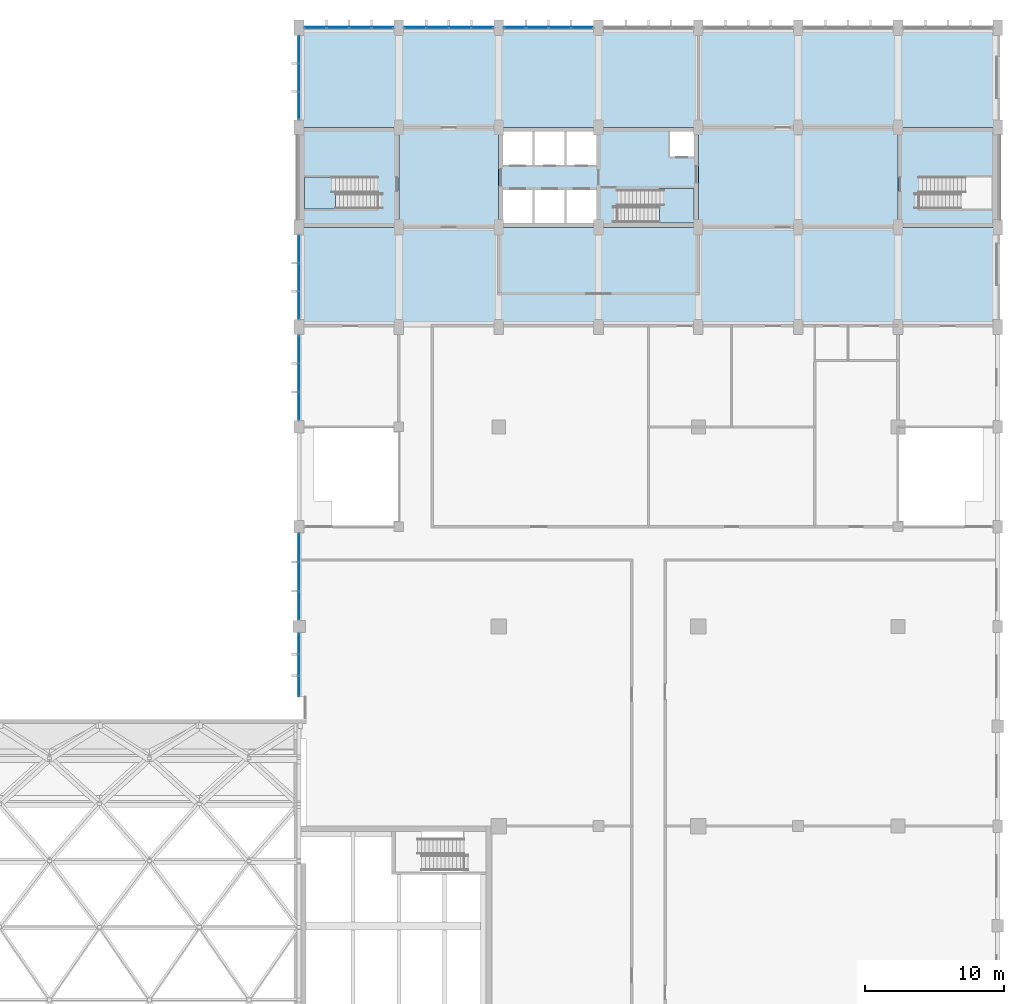
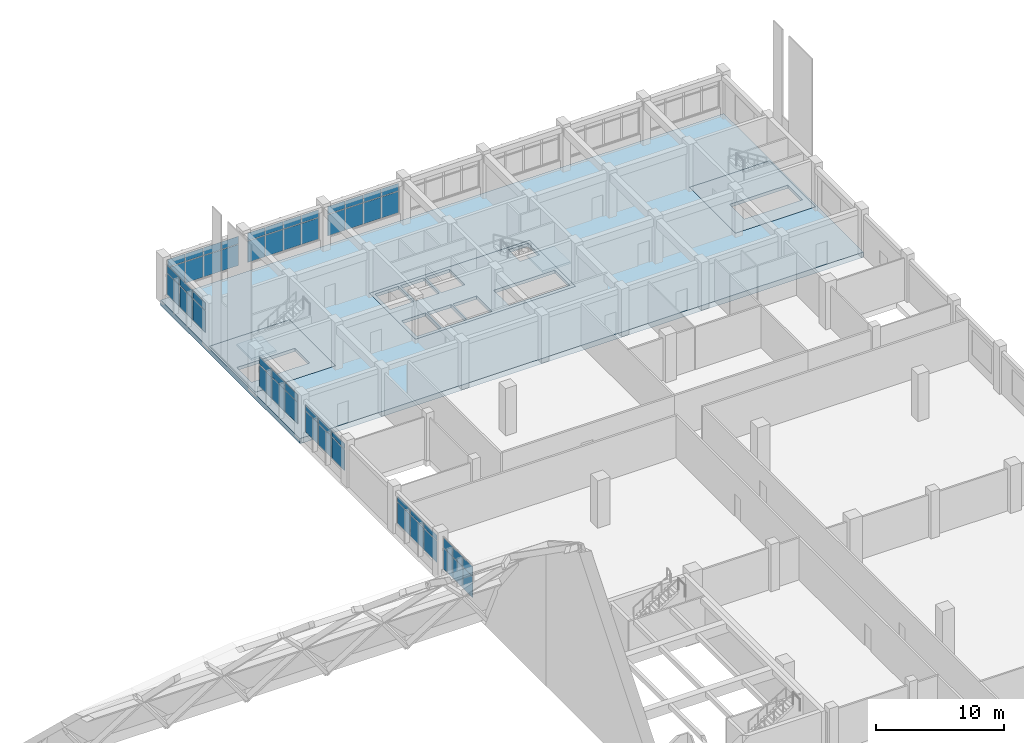
# One storey, part 30 of 52: 54 plates, 6 slabs, 10 elements without a shape of their own.
"""IFC4 building model written with IfcOpenShell, lengths in metres."""

from ifc_helpers import new_model, si_unit, direction, frame, origin, origin_2d, place, context, subcontext, project, spatial, polyline, rectangle, outline, extrude, material, layer, layer_set, type_object, element, aggregate, save


model = new_model("IFC4")

# Units and contexts
model_context = context("Model", 3, precision=1e-05, world=origin(), true_north=direction((0.0, 1.0)))
body_context = subcontext(model_context, "Body", "Model", "MODEL_VIEW")
ifc_project = project(units=[si_unit("LENGTHUNIT", "METRE"), si_unit("AREAUNIT", "SQUARE_METRE"), si_unit("VOLUMEUNIT", "CUBIC_METRE"), si_unit("PLANEANGLEUNIT", "RADIAN"), si_unit("MASSUNIT", "GRAM", prefix="KILO")], contexts=[model_context])

# Site, building, storey
site_placement = place(None, origin())
site = spatial("IfcSite", under=ifc_project, at=site_placement, CompositionType="ELEMENT")
building_placement = place(site_placement, origin())
building = spatial("IfcBuilding", under=site, at=building_placement, Name="Vermilion Court Aquatics Centre", CompositionType="ELEMENT")
storey_placement = place(building_placement, frame((0.0, 0.0, 12.0)))
storey = spatial("IfcBuildingStorey", under=building, at=storey_placement, Name="L02", CompositionType="ELEMENT", Elevation=12.0)

# Slabs
ifc_material_1 = material(Name="Concrete 5000 psi", Category="concrete")
ifc_layer_1 = layer(ifc_material_1, 0.300048828125)
ifc_layer_set_1 = layer_set([ifc_layer_1], Name="North block flat plate 300")
slab_type_1 = type_object("IfcSlabType", Name="North block flat plate 300", PredefinedType="FLOOR", material=ifc_layer_set_1)
slab_1_placement = place(storey_placement, frame((0.0, 0.0, -0.300048828125)))
element("IfcSlab", 1, at=slab_1_placement, inside=storey, type_object=slab_type_1, Name="Core floor L02", PredefinedType="FLOOR", context=body_context, shape_type="SweptSolid", body=[
    extrude(outline(polyline([(158.39990234375, 100.800048828125), (172.800048828125, 100.800048828125), (172.800048828125, 108.0), (158.39990234375, 108.0), (158.39990234375, 100.800048828125)]), holes=[polyline([(158.699951171875, 101.10009765625), (160.85009765625, 101.10009765625), (160.85009765625, 103.5), (158.699951171875, 103.5), (158.699951171875, 101.10009765625)]), polyline([(158.699951171875, 105.300048828125), (160.85009765625, 105.300048828125), (160.85009765625, 107.699951171875), (158.699951171875, 107.699951171875), (158.699951171875, 105.300048828125)]), polyline([(161.0, 101.10009765625), (163.14990234375, 101.10009765625), (163.14990234375, 103.5), (161.0, 103.5), (161.0, 101.10009765625)]), polyline([(161.0, 105.300048828125), (163.14990234375, 105.300048828125), (163.14990234375, 107.699951171875), (161.0, 107.699951171875), (161.0, 105.300048828125)]), polyline([(163.300048828125, 101.10009765625), (165.449951171875, 101.10009765625), (165.449951171875, 103.5), (163.300048828125, 103.5), (163.300048828125, 101.10009765625)]), polyline([(163.300048828125, 105.300048828125), (165.449951171875, 105.300048828125), (165.449951171875, 107.699951171875), (163.300048828125, 107.699951171875), (163.300048828125, 105.300048828125)]), polyline([(167.0, 101.14990234375), (172.5, 101.14990234375), (172.5, 103.5), (167.0, 103.5), (167.0, 101.14990234375)]), polyline([(170.75, 105.89990234375), (172.5, 105.89990234375), (172.5, 107.699951171875), (170.75, 107.699951171875), (170.75, 105.89990234375)])]), origin(), (0.0, 0.0, 1.0), 0.300048828125),
])
slab_2_placement = place(storey_placement, frame((0.0, 0.0, -0.300048828125)))
element("IfcSlab", 2, at=slab_2_placement, inside=storey, type_object=slab_type_1, Name="Stair 1 floor L02", PredefinedType="FLOOR", context=body_context, shape_type="SweptSolid", body=[
    extrude(outline(polyline([(144.0, 100.800048828125), (151.199951171875, 100.800048828125), (151.199951171875, 108.0), (144.0, 108.0), (144.0, 100.800048828125)]), holes=[polyline([(144.39990234375, 102.1298828125), (149.64990234375, 102.1298828125), (149.64990234375, 104.429931640625), (144.39990234375, 104.429931640625), (144.39990234375, 102.1298828125)])]), origin(), (0.0, 0.0, 1.0), 0.300048828125),
])
slab_3_placement = place(storey_placement, frame((0.0, 0.0, -0.300048828125)))
element("IfcSlab", 3, at=slab_3_placement, inside=storey, type_object=slab_type_1, Name="Stair 2 floor L02", PredefinedType="FLOOR", context=body_context, shape_type="SweptSolid", body=[
    extrude(outline(polyline([(187.199951171875, 100.800048828125), (194.39990234375, 100.800048828125), (194.39990234375, 108.0), (187.199951171875, 108.0), (187.199951171875, 100.800048828125)]), holes=[polyline([(188.75, 102.1298828125), (194.0, 102.1298828125), (194.0, 104.429931640625), (188.75, 104.429931640625), (188.75, 102.1298828125)])]), origin(), (0.0, 0.0, 1.0), 0.300048828125),
])

# Stair, slab
ifc_material_2 = material(Name="Concrete 5000 psi", Category="concrete")
stair_type = type_object("IfcStairType", Name="North block exit stair 1130", PredefinedType="HALF_TURN_STAIR", material=ifc_material_2)
stair_1_placement = place(storey_placement, origin())
stair_1 = element("IfcStair", 4, at=stair_1_placement, inside=storey, type_object=stair_type, Name="Exit stair ST-T1 L02", PredefinedType="HALF_TURN_STAIR")
ifc_material_3 = material(Name="Concrete 5000 psi", Category="concrete")
ifc_layer_2 = layer(ifc_material_3, 0.199951171875)
ifc_layer_set_2 = layer_set([ifc_layer_2], Name="North block stair landing 200")
slab_type_2 = type_object("IfcSlabType", Name="North block stair landing 200", PredefinedType="LANDING", material=ifc_layer_set_2)
slab_4_placement = place(storey_placement, frame((0.0, 0.0, 2.050048828125)))
slab_4 = element("IfcSlab", 5, at=slab_4_placement, type_object=slab_type_2, Name="ST-T1 landing 1", PredefinedType="LANDING", context=body_context, shape_type="SweptSolid", body=[
    extrude(outline(polyline([(144.39990234375, 102.1298828125), (146.639892578125, 102.1298828125), (146.639892578125, 104.429931640625), (144.39990234375, 104.429931640625), (144.39990234375, 102.1298828125)])), origin(), (0.0, 0.0, 1.0), 0.199951171875),
])
aggregate(stair_1, [slab_4])

stair_2_placement = place(storey_placement, origin())
stair_2 = element("IfcStair", 6, at=stair_2_placement, inside=storey, type_object=stair_type, Name="Exit stair ST-T3 L02", PredefinedType="HALF_TURN_STAIR")
slab_5_placement = place(storey_placement, frame((0.0, 0.0, 2.050048828125)))
slab_5 = element("IfcSlab", 7, at=slab_5_placement, type_object=slab_type_2, Name="ST-T3 landing 1", PredefinedType="LANDING", context=body_context, shape_type="SweptSolid", body=[
    extrude(outline(polyline([(170.010009765625, 101.10009765625), (172.5, 101.10009765625), (172.5, 103.60009765625), (170.010009765625, 103.60009765625), (170.010009765625, 101.10009765625)])), origin(), (0.0, 0.0, 1.0), 0.199951171875),
])
aggregate(stair_2, [slab_5])

# Curtain wall, plates
ifc_material_4 = material(Name="Aluminium 6063-T5", Category="aluminium")
ifc_layer_3 = layer(ifc_material_4, 0.14990234375)
ifc_layer_set_3 = layer_set([ifc_layer_3], Name="Podium curtain wall bay, 1800 module")
curtain_wall_type = type_object("IfcCurtainWallType", Name="Podium curtain wall bay, 1800 module", PredefinedType="NOTDEFINED", material=ifc_layer_set_3)
curtain_wall_1_placement = place(storey_placement, origin())
curtain_wall_1 = element("IfcCurtainWall", 8, at=curtain_wall_1_placement, inside=storey, type_object=curtain_wall_type, Name="Curtain wall L02", PredefinedType="NOTDEFINED")
ifc_material_5 = material(Name="Glazing", Category="glass")
ifc_layer_4 = layer(ifc_material_5, 0.028076171875)
ifc_layer_set_4 = layer_set([ifc_layer_4], Name="Podium curtain wall glass panel 28")
plate_type = type_object("IfcPlateType", Name="Podium curtain wall glass panel 28", PredefinedType="CURTAIN_PANEL", material=ifc_layer_set_4)
plate_1_placement = place(storey_placement, frame((145.177490234375, 115.199951171875, 0.9599609375), z_axis=(0.0, 0.0, 1.0), x_axis=(1.0, 0.0, 0.0)))
plate_1 = element("IfcPlate", 9, at=plate_1_placement, type_object=plate_type, Name="PG2 panel 1.1", PredefinedType="CURTAIN_PANEL", context=body_context, shape_type="SweptSolid", body=[
    extrude(rectangle(XDim=1.534912109375, YDim=0.028076171875, at=origin_2d()), origin(), (0.0, 0.0, 1.0), 2.010009765625),
])
plate_2_placement = place(storey_placement, frame((145.177490234375, 115.199951171875, 3.030029296875), z_axis=(0.0, 0.0, 1.0), x_axis=(1.0, 0.0, 0.0)))
plate_2 = element("IfcPlate", 10, at=plate_2_placement, type_object=plate_type, Name="PG2 panel 1.2", PredefinedType="CURTAIN_PANEL", context=body_context, shape_type="SweptSolid", body=[
    extrude(rectangle(XDim=1.534912109375, YDim=0.028076171875, at=origin_2d()), origin(), (0.0, 0.0, 1.0), 0.7099609375),
])
plate_3_placement = place(storey_placement, frame((146.78759765625, 115.199951171875, 0.9599609375), z_axis=(0.0, 0.0, 1.0), x_axis=(1.0, 0.0, 0.0)))
plate_3 = element("IfcPlate", 11, at=plate_3_placement, type_object=plate_type, Name="PG2 panel 2.1", PredefinedType="CURTAIN_PANEL", context=body_context, shape_type="SweptSolid", body=[
    extrude(rectangle(XDim=1.56494140625, YDim=0.028076171875, at=origin_2d()), origin(), (0.0, 0.0, 1.0), 2.010009765625),
])
plate_4_placement = place(storey_placement, frame((146.78759765625, 115.199951171875, 3.030029296875), z_axis=(0.0, 0.0, 1.0), x_axis=(1.0, 0.0, 0.0)))
plate_4 = element("IfcPlate", 12, at=plate_4_placement, type_object=plate_type, Name="PG2 panel 2.2", PredefinedType="CURTAIN_PANEL", context=body_context, shape_type="SweptSolid", body=[
    extrude(rectangle(XDim=1.56494140625, YDim=0.028076171875, at=origin_2d()), origin(), (0.0, 0.0, 1.0), 0.7099609375),
])
plate_5_placement = place(storey_placement, frame((148.41259765625, 115.199951171875, 0.9599609375), z_axis=(0.0, 0.0, 1.0), x_axis=(1.0, 0.0, 0.0)))
plate_5 = element("IfcPlate", 13, at=plate_5_placement, type_object=plate_type, Name="PG2 panel 3.1", PredefinedType="CURTAIN_PANEL", context=body_context, shape_type="SweptSolid", body=[
    extrude(rectangle(XDim=1.56494140625, YDim=0.028076171875, at=origin_2d()), origin(), (0.0, 0.0, 1.0), 2.010009765625),
])
plate_6_placement = place(storey_placement, frame((148.41259765625, 115.199951171875, 3.030029296875), z_axis=(0.0, 0.0, 1.0), x_axis=(1.0, 0.0, 0.0)))
plate_6 = element("IfcPlate", 14, at=plate_6_placement, type_object=plate_type, Name="PG2 panel 3.2", PredefinedType="CURTAIN_PANEL", context=body_context, shape_type="SweptSolid", body=[
    extrude(rectangle(XDim=1.56494140625, YDim=0.028076171875, at=origin_2d()), origin(), (0.0, 0.0, 1.0), 0.7099609375),
])
plate_7_placement = place(storey_placement, frame((150.0224609375, 115.199951171875, 0.9599609375), z_axis=(0.0, 0.0, 1.0), x_axis=(1.0, 0.0, 0.0)))
plate_7 = element("IfcPlate", 15, at=plate_7_placement, type_object=plate_type, Name="PG2 panel 4.1", PredefinedType="CURTAIN_PANEL", context=body_context, shape_type="SweptSolid", body=[
    extrude(rectangle(XDim=1.534912109375, YDim=0.028076171875, at=origin_2d()), origin(), (0.0, 0.0, 1.0), 2.010009765625),
])
plate_8_placement = place(storey_placement, frame((150.0224609375, 115.199951171875, 3.030029296875), z_axis=(0.0, 0.0, 1.0), x_axis=(1.0, 0.0, 0.0)))
plate_8 = element("IfcPlate", 16, at=plate_8_placement, type_object=plate_type, Name="PG2 panel 4.2", PredefinedType="CURTAIN_PANEL", context=body_context, shape_type="SweptSolid", body=[
    extrude(rectangle(XDim=1.534912109375, YDim=0.028076171875, at=origin_2d()), origin(), (0.0, 0.0, 1.0), 0.7099609375),
])
aggregate(curtain_wall_1, [plate_1, plate_2, plate_3, plate_4, plate_5, plate_6, plate_7, plate_8])

curtain_wall_2_placement = place(storey_placement, origin())
curtain_wall_2 = element("IfcCurtainWall", 17, at=curtain_wall_2_placement, inside=storey, type_object=curtain_wall_type, Name="Curtain wall L02", PredefinedType="NOTDEFINED")
plate_9_placement = place(storey_placement, frame((152.37744140625, 115.199951171875, 0.9599609375), z_axis=(0.0, 0.0, 1.0), x_axis=(1.0, 0.0, 0.0)))
plate_9 = element("IfcPlate", 18, at=plate_9_placement, type_object=plate_type, Name="PG2 panel 1.1", PredefinedType="CURTAIN_PANEL", context=body_context, shape_type="SweptSolid", body=[
    extrude(rectangle(XDim=1.534912109375, YDim=0.028076171875, at=origin_2d()), origin(), (0.0, 0.0, 1.0), 2.010009765625),
])
plate_10_placement = place(storey_placement, frame((152.37744140625, 115.199951171875, 3.030029296875), z_axis=(0.0, 0.0, 1.0), x_axis=(1.0, 0.0, 0.0)))
plate_10 = element("IfcPlate", 19, at=plate_10_placement, type_object=plate_type, Name="PG2 panel 1.2", PredefinedType="CURTAIN_PANEL", context=body_context, shape_type="SweptSolid", body=[
    extrude(rectangle(XDim=1.534912109375, YDim=0.028076171875, at=origin_2d()), origin(), (0.0, 0.0, 1.0), 0.7099609375),
])
plate_11_placement = place(storey_placement, frame((153.987548828125, 115.199951171875, 0.9599609375), z_axis=(0.0, 0.0, 1.0), x_axis=(1.0, 0.0, 0.0)))
plate_11 = element("IfcPlate", 20, at=plate_11_placement, type_object=plate_type, Name="PG2 panel 2.1", PredefinedType="CURTAIN_PANEL", context=body_context, shape_type="SweptSolid", body=[
    extrude(rectangle(XDim=1.56494140625, YDim=0.028076171875, at=origin_2d()), origin(), (0.0, 0.0, 1.0), 2.010009765625),
])
plate_12_placement = place(storey_placement, frame((153.987548828125, 115.199951171875, 3.030029296875), z_axis=(0.0, 0.0, 1.0), x_axis=(1.0, 0.0, 0.0)))
plate_12 = element("IfcPlate", 21, at=plate_12_placement, type_object=plate_type, Name="PG2 panel 2.2", PredefinedType="CURTAIN_PANEL", context=body_context, shape_type="SweptSolid", body=[
    extrude(rectangle(XDim=1.56494140625, YDim=0.028076171875, at=origin_2d()), origin(), (0.0, 0.0, 1.0), 0.7099609375),
])
plate_13_placement = place(storey_placement, frame((155.612548828125, 115.199951171875, 0.9599609375), z_axis=(0.0, 0.0, 1.0), x_axis=(1.0, 0.0, 0.0)))
plate_13 = element("IfcPlate", 22, at=plate_13_placement, type_object=plate_type, Name="PG2 panel 3.1", PredefinedType="CURTAIN_PANEL", context=body_context, shape_type="SweptSolid", body=[
    extrude(rectangle(XDim=1.56494140625, YDim=0.028076171875, at=origin_2d()), origin(), (0.0, 0.0, 1.0), 2.010009765625),
])
plate_14_placement = place(storey_placement, frame((155.612548828125, 115.199951171875, 3.030029296875), z_axis=(0.0, 0.0, 1.0), x_axis=(1.0, 0.0, 0.0)))
plate_14 = element("IfcPlate", 23, at=plate_14_placement, type_object=plate_type, Name="PG2 panel 3.2", PredefinedType="CURTAIN_PANEL", context=body_context, shape_type="SweptSolid", body=[
    extrude(rectangle(XDim=1.56494140625, YDim=0.028076171875, at=origin_2d()), origin(), (0.0, 0.0, 1.0), 0.7099609375),
])
plate_15_placement = place(storey_placement, frame((157.222412109375, 115.199951171875, 0.9599609375), z_axis=(0.0, 0.0, 1.0), x_axis=(1.0, 0.0, 0.0)))
plate_15 = element("IfcPlate", 24, at=plate_15_placement, type_object=plate_type, Name="PG2 panel 4.1", PredefinedType="CURTAIN_PANEL", context=body_context, shape_type="SweptSolid", body=[
    extrude(rectangle(XDim=1.534912109375, YDim=0.028076171875, at=origin_2d()), origin(), (0.0, 0.0, 1.0), 2.010009765625),
])
plate_16_placement = place(storey_placement, frame((157.222412109375, 115.199951171875, 3.030029296875), z_axis=(0.0, 0.0, 1.0), x_axis=(1.0, 0.0, 0.0)))
plate_16 = element("IfcPlate", 25, at=plate_16_placement, type_object=plate_type, Name="PG2 panel 4.2", PredefinedType="CURTAIN_PANEL", context=body_context, shape_type="SweptSolid", body=[
    extrude(rectangle(XDim=1.534912109375, YDim=0.028076171875, at=origin_2d()), origin(), (0.0, 0.0, 1.0), 0.7099609375),
])
aggregate(curtain_wall_2, [plate_9, plate_10, plate_11, plate_12, plate_13, plate_14, plate_15, plate_16])

curtain_wall_3_placement = place(storey_placement, origin())
curtain_wall_3 = element("IfcCurtainWall", 26, at=curtain_wall_3_placement, inside=storey, type_object=curtain_wall_type, Name="Curtain wall L02", PredefinedType="NOTDEFINED")
plate_17_placement = place(storey_placement, frame((159.577392578125, 115.199951171875, 0.9599609375), z_axis=(0.0, 0.0, 1.0), x_axis=(1.0, 0.0, 0.0)))
plate_17 = element("IfcPlate", 27, at=plate_17_placement, type_object=plate_type, Name="PG2 panel 1.1", PredefinedType="CURTAIN_PANEL", context=body_context, shape_type="SweptSolid", body=[
    extrude(rectangle(XDim=1.534912109375, YDim=0.028076171875, at=origin_2d()), origin(), (0.0, 0.0, 1.0), 2.010009765625),
])
plate_18_placement = place(storey_placement, frame((159.577392578125, 115.199951171875, 3.030029296875), z_axis=(0.0, 0.0, 1.0), x_axis=(1.0, 0.0, 0.0)))
plate_18 = element("IfcPlate", 28, at=plate_18_placement, type_object=plate_type, Name="PG2 panel 1.2", PredefinedType="CURTAIN_PANEL", context=body_context, shape_type="SweptSolid", body=[
    extrude(rectangle(XDim=1.534912109375, YDim=0.028076171875, at=origin_2d()), origin(), (0.0, 0.0, 1.0), 0.7099609375),
])
plate_19_placement = place(storey_placement, frame((161.1875, 115.199951171875, 0.9599609375), z_axis=(0.0, 0.0, 1.0), x_axis=(1.0, 0.0, 0.0)))
plate_19 = element("IfcPlate", 29, at=plate_19_placement, type_object=plate_type, Name="PG2 panel 2.1", PredefinedType="CURTAIN_PANEL", context=body_context, shape_type="SweptSolid", body=[
    extrude(rectangle(XDim=1.56494140625, YDim=0.028076171875, at=origin_2d()), origin(), (0.0, 0.0, 1.0), 2.010009765625),
])
plate_20_placement = place(storey_placement, frame((161.1875, 115.199951171875, 3.030029296875), z_axis=(0.0, 0.0, 1.0), x_axis=(1.0, 0.0, 0.0)))
plate_20 = element("IfcPlate", 30, at=plate_20_placement, type_object=plate_type, Name="PG2 panel 2.2", PredefinedType="CURTAIN_PANEL", context=body_context, shape_type="SweptSolid", body=[
    extrude(rectangle(XDim=1.56494140625, YDim=0.028076171875, at=origin_2d()), origin(), (0.0, 0.0, 1.0), 0.7099609375),
])
plate_21_placement = place(storey_placement, frame((162.8125, 115.199951171875, 0.9599609375), z_axis=(0.0, 0.0, 1.0), x_axis=(1.0, 0.0, 0.0)))
plate_21 = element("IfcPlate", 31, at=plate_21_placement, type_object=plate_type, Name="PG2 panel 3.1", PredefinedType="CURTAIN_PANEL", context=body_context, shape_type="SweptSolid", body=[
    extrude(rectangle(XDim=1.56494140625, YDim=0.028076171875, at=origin_2d()), origin(), (0.0, 0.0, 1.0), 2.010009765625),
])
plate_22_placement = place(storey_placement, frame((162.8125, 115.199951171875, 3.030029296875), z_axis=(0.0, 0.0, 1.0), x_axis=(1.0, 0.0, 0.0)))
plate_22 = element("IfcPlate", 32, at=plate_22_placement, type_object=plate_type, Name="PG2 panel 3.2", PredefinedType="CURTAIN_PANEL", context=body_context, shape_type="SweptSolid", body=[
    extrude(rectangle(XDim=1.56494140625, YDim=0.028076171875, at=origin_2d()), origin(), (0.0, 0.0, 1.0), 0.7099609375),
])
plate_23_placement = place(storey_placement, frame((164.422607421875, 115.199951171875, 0.9599609375), z_axis=(0.0, 0.0, 1.0), x_axis=(1.0, 0.0, 0.0)))
plate_23 = element("IfcPlate", 33, at=plate_23_placement, type_object=plate_type, Name="PG2 panel 4.1", PredefinedType="CURTAIN_PANEL", context=body_context, shape_type="SweptSolid", body=[
    extrude(rectangle(XDim=1.534912109375, YDim=0.028076171875, at=origin_2d()), origin(), (0.0, 0.0, 1.0), 2.010009765625),
])
plate_24_placement = place(storey_placement, frame((164.422607421875, 115.199951171875, 3.030029296875), z_axis=(0.0, 0.0, 1.0), x_axis=(1.0, 0.0, 0.0)))
plate_24 = element("IfcPlate", 34, at=plate_24_placement, type_object=plate_type, Name="PG2 panel 4.2", PredefinedType="CURTAIN_PANEL", context=body_context, shape_type="SweptSolid", body=[
    extrude(rectangle(XDim=1.534912109375, YDim=0.028076171875, at=origin_2d()), origin(), (0.0, 0.0, 1.0), 0.7099609375),
])
aggregate(curtain_wall_3, [plate_17, plate_18, plate_19, plate_20, plate_21, plate_22, plate_23, plate_24])

curtain_wall_4_placement = place(storey_placement, origin())
curtain_wall_4 = element("IfcCurtainWall", 35, at=curtain_wall_4_placement, inside=storey, type_object=curtain_wall_type, Name="Curtain wall L02", PredefinedType="NOTDEFINED")
plate_25_placement = place(storey_placement, frame((144.0, 67.68994140625, 0.9599609375), z_axis=(0.0, 0.0, 1.0), x_axis=(0.0, 1.0, 0.0)))
plate_25 = element("IfcPlate", 36, at=plate_25_placement, type_object=plate_type, Name="PG2 panel 1.1", PredefinedType="CURTAIN_PANEL", context=body_context, shape_type="SweptSolid", body=[
    extrude(rectangle(XDim=1.4599609375, YDim=0.028076171875, at=origin_2d()), origin(), (0.0, 0.0, 1.0), 2.010009765625),
])
plate_26_placement = place(storey_placement, frame((144.0, 67.68994140625, 3.0302734375), z_axis=(0.0, 0.0, 1.0), x_axis=(0.0, 1.0, 0.0)))
plate_26 = element("IfcPlate", 37, at=plate_26_placement, type_object=plate_type, Name="PG2 panel 1.2", PredefinedType="CURTAIN_PANEL", context=body_context, shape_type="SweptSolid", body=[
    extrude(rectangle(XDim=1.4599609375, YDim=0.028076171875, at=origin_2d()), origin(), (0.0, 0.0, 1.0), 0.909912109375),
])
plate_27_placement = place(storey_placement, frame((144.0, 69.22509765625, 0.9599609375), z_axis=(0.0, 0.0, 1.0), x_axis=(0.0, 1.0, 0.0)))
plate_27 = element("IfcPlate", 38, at=plate_27_placement, type_object=plate_type, Name="PG2 panel 2.1", PredefinedType="CURTAIN_PANEL", context=body_context, shape_type="SweptSolid", body=[
    extrude(rectangle(XDim=1.489990234375, YDim=0.028076171875, at=origin_2d()), origin(), (0.0, 0.0, 1.0), 2.010009765625),
])
plate_28_placement = place(storey_placement, frame((144.0, 69.22509765625, 3.0302734375), z_axis=(0.0, 0.0, 1.0), x_axis=(0.0, 1.0, 0.0)))
plate_28 = element("IfcPlate", 39, at=plate_28_placement, type_object=plate_type, Name="PG2 panel 2.2", PredefinedType="CURTAIN_PANEL", context=body_context, shape_type="SweptSolid", body=[
    extrude(rectangle(XDim=1.489990234375, YDim=0.028076171875, at=origin_2d()), origin(), (0.0, 0.0, 1.0), 0.909912109375),
])
plate_29_placement = place(storey_placement, frame((144.0, 70.760009765625, 0.9599609375), z_axis=(0.0, 0.0, 1.0), x_axis=(0.0, 1.0, 0.0)))
plate_29 = element("IfcPlate", 40, at=plate_29_placement, type_object=plate_type, Name="PG2 panel 3.1", PredefinedType="CURTAIN_PANEL", context=body_context, shape_type="SweptSolid", body=[
    extrude(rectangle(XDim=1.4599609375, YDim=0.028076171875, at=origin_2d()), origin(), (0.0, 0.0, 1.0), 2.010009765625),
])
plate_30_placement = place(storey_placement, frame((144.0, 70.760009765625, 3.0302734375), z_axis=(0.0, 0.0, 1.0), x_axis=(0.0, 1.0, 0.0)))
plate_30 = element("IfcPlate", 41, at=plate_30_placement, type_object=plate_type, Name="PG2 panel 3.2", PredefinedType="CURTAIN_PANEL", context=body_context, shape_type="SweptSolid", body=[
    extrude(rectangle(XDim=1.4599609375, YDim=0.028076171875, at=origin_2d()), origin(), (0.0, 0.0, 1.0), 0.909912109375),
])
aggregate(curtain_wall_4, [plate_25, plate_26, plate_27, plate_28, plate_29, plate_30])

curtain_wall_5_placement = place(storey_placement, origin())
curtain_wall_5 = element("IfcCurtainWall", 42, at=curtain_wall_5_placement, inside=storey, type_object=curtain_wall_type, Name="Curtain wall L02", PredefinedType="NOTDEFINED")
plate_31_placement = place(storey_placement, frame((144.0, 73.514892578125, 0.9599609375), z_axis=(0.0, 0.0, 1.0), x_axis=(0.0, 1.0, 0.0)))
plate_31 = element("IfcPlate", 43, at=plate_31_placement, type_object=plate_type, Name="PG2 panel 1.1", PredefinedType="CURTAIN_PANEL", context=body_context, shape_type="SweptSolid", body=[
    extrude(rectangle(XDim=2.010009765625, YDim=0.028076171875, at=origin_2d()), origin(), (0.0, 0.0, 1.0), 2.010009765625),
])
plate_32_placement = place(storey_placement, frame((144.0, 73.514892578125, 3.02978515625), z_axis=(0.0, 0.0, 1.0), x_axis=(0.0, 1.0, 0.0)))
plate_32 = element("IfcPlate", 44, at=plate_32_placement, type_object=plate_type, Name="PG2 panel 1.2", PredefinedType="CURTAIN_PANEL", context=body_context, shape_type="SweptSolid", body=[
    extrude(rectangle(XDim=2.010009765625, YDim=0.028076171875, at=origin_2d()), origin(), (0.0, 0.0, 1.0), 0.510009765625),
])
plate_33_placement = place(storey_placement, frame((144.0, 75.60009765625, 0.9599609375), z_axis=(0.0, 0.0, 1.0), x_axis=(0.0, 1.0, 0.0)))
plate_33 = element("IfcPlate", 45, at=plate_33_placement, type_object=plate_type, Name="PG2 panel 2.1", PredefinedType="CURTAIN_PANEL", context=body_context, shape_type="SweptSolid", body=[
    extrude(rectangle(XDim=2.0400390625, YDim=0.028076171875, at=origin_2d()), origin(), (0.0, 0.0, 1.0), 2.010009765625),
])
plate_34_placement = place(storey_placement, frame((144.0, 75.60009765625, 3.02978515625), z_axis=(0.0, 0.0, 1.0), x_axis=(0.0, 1.0, 0.0)))
plate_34 = element("IfcPlate", 46, at=plate_34_placement, type_object=plate_type, Name="PG2 panel 2.2", PredefinedType="CURTAIN_PANEL", context=body_context, shape_type="SweptSolid", body=[
    extrude(rectangle(XDim=2.0400390625, YDim=0.028076171875, at=origin_2d()), origin(), (0.0, 0.0, 1.0), 0.510009765625),
])
plate_35_placement = place(storey_placement, frame((144.0, 77.68505859375, 0.9599609375), z_axis=(0.0, 0.0, 1.0), x_axis=(0.0, 1.0, 0.0)))
plate_35 = element("IfcPlate", 47, at=plate_35_placement, type_object=plate_type, Name="PG2 panel 3.1", PredefinedType="CURTAIN_PANEL", context=body_context, shape_type="SweptSolid", body=[
    extrude(rectangle(XDim=2.010009765625, YDim=0.028076171875, at=origin_2d()), origin(), (0.0, 0.0, 1.0), 2.010009765625),
])
plate_36_placement = place(storey_placement, frame((144.0, 77.68505859375, 3.02978515625), z_axis=(0.0, 0.0, 1.0), x_axis=(0.0, 1.0, 0.0)))
plate_36 = element("IfcPlate", 48, at=plate_36_placement, type_object=plate_type, Name="PG2 panel 3.2", PredefinedType="CURTAIN_PANEL", context=body_context, shape_type="SweptSolid", body=[
    extrude(rectangle(XDim=2.010009765625, YDim=0.028076171875, at=origin_2d()), origin(), (0.0, 0.0, 1.0), 0.510009765625),
])
aggregate(curtain_wall_5, [plate_31, plate_32, plate_33, plate_34, plate_35, plate_36])

curtain_wall_6_placement = place(storey_placement, origin())
curtain_wall_6 = element("IfcCurtainWall", 49, at=curtain_wall_6_placement, inside=storey, type_object=curtain_wall_type, Name="Curtain wall L02", PredefinedType="NOTDEFINED")
plate_37_placement = place(storey_placement, frame((144.0, 87.8984375, 0.9599609375), z_axis=(0.0, 0.0, 1.0), x_axis=(0.0, 1.0, 0.0)))
plate_37 = element("IfcPlate", 50, at=plate_37_placement, type_object=plate_type, Name="PG2 panel 1.1", PredefinedType="CURTAIN_PANEL", context=body_context, shape_type="SweptSolid", body=[
    extrude(rectangle(XDim=1.9765625, YDim=0.028076171875, at=origin_2d()), origin(), (0.0, 0.0, 1.0), 2.010009765625),
])
plate_38_placement = place(storey_placement, frame((144.0, 87.8984375, 3.02978515625), z_axis=(0.0, 0.0, 1.0), x_axis=(0.0, 1.0, 0.0)))
plate_38 = element("IfcPlate", 51, at=plate_38_placement, type_object=plate_type, Name="PG2 panel 1.2", PredefinedType="CURTAIN_PANEL", context=body_context, shape_type="SweptSolid", body=[
    extrude(rectangle(XDim=1.9765625, YDim=0.028076171875, at=origin_2d()), origin(), (0.0, 0.0, 1.0), 0.510009765625),
])
plate_39_placement = place(storey_placement, frame((144.0, 89.949951171875, 0.9599609375), z_axis=(0.0, 0.0, 1.0), x_axis=(0.0, 1.0, 0.0)))
plate_39 = element("IfcPlate", 52, at=plate_39_placement, type_object=plate_type, Name="PG2 panel 2.1", PredefinedType="CURTAIN_PANEL", context=body_context, shape_type="SweptSolid", body=[
    extrude(rectangle(XDim=2.006591796875, YDim=0.028076171875, at=origin_2d()), origin(), (0.0, 0.0, 1.0), 2.010009765625),
])
plate_40_placement = place(storey_placement, frame((144.0, 89.949951171875, 3.02978515625), z_axis=(0.0, 0.0, 1.0), x_axis=(0.0, 1.0, 0.0)))
plate_40 = element("IfcPlate", 53, at=plate_40_placement, type_object=plate_type, Name="PG2 panel 2.2", PredefinedType="CURTAIN_PANEL", context=body_context, shape_type="SweptSolid", body=[
    extrude(rectangle(XDim=2.006591796875, YDim=0.028076171875, at=origin_2d()), origin(), (0.0, 0.0, 1.0), 0.510009765625),
])
plate_41_placement = place(storey_placement, frame((144.0, 92.001708984375, 0.9599609375), z_axis=(0.0, 0.0, 1.0), x_axis=(0.0, 1.0, 0.0)))
plate_41 = element("IfcPlate", 54, at=plate_41_placement, type_object=plate_type, Name="PG2 panel 3.1", PredefinedType="CURTAIN_PANEL", context=body_context, shape_type="SweptSolid", body=[
    extrude(rectangle(XDim=1.9765625, YDim=0.028076171875, at=origin_2d()), origin(), (0.0, 0.0, 1.0), 2.010009765625),
])
plate_42_placement = place(storey_placement, frame((144.0, 92.001708984375, 3.02978515625), z_axis=(0.0, 0.0, 1.0), x_axis=(0.0, 1.0, 0.0)))
plate_42 = element("IfcPlate", 55, at=plate_42_placement, type_object=plate_type, Name="PG2 panel 3.2", PredefinedType="CURTAIN_PANEL", context=body_context, shape_type="SweptSolid", body=[
    extrude(rectangle(XDim=1.9765625, YDim=0.028076171875, at=origin_2d()), origin(), (0.0, 0.0, 1.0), 0.510009765625),
])
aggregate(curtain_wall_6, [plate_37, plate_38, plate_39, plate_40, plate_41, plate_42])

curtain_wall_7_placement = place(storey_placement, origin())
curtain_wall_7 = element("IfcCurtainWall", 56, at=curtain_wall_7_placement, inside=storey, type_object=curtain_wall_type, Name="Curtain wall L02", PredefinedType="NOTDEFINED")
plate_43_placement = place(storey_placement, frame((144.0, 95.181640625, 0.9599609375), z_axis=(0.0, 0.0, 1.0), x_axis=(0.0, 1.0, 0.0)))
plate_43 = element("IfcPlate", 57, at=plate_43_placement, type_object=plate_type, Name="PG2 panel 1.1", PredefinedType="CURTAIN_PANEL", context=body_context, shape_type="SweptSolid", body=[
    extrude(rectangle(XDim=1.943359375, YDim=0.028076171875, at=origin_2d()), origin(), (0.0, 0.0, 1.0), 2.010009765625),
])
plate_44_placement = place(storey_placement, frame((144.0, 95.181640625, 3.030029296875), z_axis=(0.0, 0.0, 1.0), x_axis=(0.0, 1.0, 0.0)))
plate_44 = element("IfcPlate", 58, at=plate_44_placement, type_object=plate_type, Name="PG2 panel 1.2", PredefinedType="CURTAIN_PANEL", context=body_context, shape_type="SweptSolid", body=[
    extrude(rectangle(XDim=1.943359375, YDim=0.028076171875, at=origin_2d()), origin(), (0.0, 0.0, 1.0), 0.7099609375),
])
plate_45_placement = place(storey_placement, frame((144.0, 97.199951171875, 0.9599609375), z_axis=(0.0, 0.0, 1.0), x_axis=(0.0, 1.0, 0.0)))
plate_45 = element("IfcPlate", 59, at=plate_45_placement, type_object=plate_type, Name="PG2 panel 2.1", PredefinedType="CURTAIN_PANEL", context=body_context, shape_type="SweptSolid", body=[
    extrude(rectangle(XDim=1.973388671875, YDim=0.028076171875, at=origin_2d()), origin(), (0.0, 0.0, 1.0), 2.010009765625),
])
plate_46_placement = place(storey_placement, frame((144.0, 97.199951171875, 3.030029296875), z_axis=(0.0, 0.0, 1.0), x_axis=(0.0, 1.0, 0.0)))
plate_46 = element("IfcPlate", 60, at=plate_46_placement, type_object=plate_type, Name="PG2 panel 2.2", PredefinedType="CURTAIN_PANEL", context=body_context, shape_type="SweptSolid", body=[
    extrude(rectangle(XDim=1.973388671875, YDim=0.028076171875, at=origin_2d()), origin(), (0.0, 0.0, 1.0), 0.7099609375),
])
plate_47_placement = place(storey_placement, frame((144.0, 99.21826171875, 0.9599609375), z_axis=(0.0, 0.0, 1.0), x_axis=(0.0, 1.0, 0.0)))
plate_47 = element("IfcPlate", 61, at=plate_47_placement, type_object=plate_type, Name="PG2 panel 3.1", PredefinedType="CURTAIN_PANEL", context=body_context, shape_type="SweptSolid", body=[
    extrude(rectangle(XDim=1.943359375, YDim=0.028076171875, at=origin_2d()), origin(), (0.0, 0.0, 1.0), 2.010009765625),
])
plate_48_placement = place(storey_placement, frame((144.0, 99.21826171875, 3.030029296875), z_axis=(0.0, 0.0, 1.0), x_axis=(0.0, 1.0, 0.0)))
plate_48 = element("IfcPlate", 62, at=plate_48_placement, type_object=plate_type, Name="PG2 panel 3.2", PredefinedType="CURTAIN_PANEL", context=body_context, shape_type="SweptSolid", body=[
    extrude(rectangle(XDim=1.943359375, YDim=0.028076171875, at=origin_2d()), origin(), (0.0, 0.0, 1.0), 0.7099609375),
])
aggregate(curtain_wall_7, [plate_43, plate_44, plate_45, plate_46, plate_47, plate_48])

curtain_wall_8_placement = place(storey_placement, origin())
curtain_wall_8 = element("IfcCurtainWall", 63, at=curtain_wall_8_placement, inside=storey, type_object=curtain_wall_type, Name="Curtain wall L02", PredefinedType="NOTDEFINED")
plate_49_placement = place(storey_placement, frame((144.0, 109.581787109375, 0.9599609375), z_axis=(0.0, 0.0, 1.0), x_axis=(0.0, 1.0, 0.0)))
plate_49 = element("IfcPlate", 64, at=plate_49_placement, type_object=plate_type, Name="PG2 panel 1.1", PredefinedType="CURTAIN_PANEL", context=body_context, shape_type="SweptSolid", body=[
    extrude(rectangle(XDim=1.943359375, YDim=0.028076171875, at=origin_2d()), origin(), (0.0, 0.0, 1.0), 2.010009765625),
])
plate_50_placement = place(storey_placement, frame((144.0, 109.581787109375, 3.030029296875), z_axis=(0.0, 0.0, 1.0), x_axis=(0.0, 1.0, 0.0)))
plate_50 = element("IfcPlate", 65, at=plate_50_placement, type_object=plate_type, Name="PG2 panel 1.2", PredefinedType="CURTAIN_PANEL", context=body_context, shape_type="SweptSolid", body=[
    extrude(rectangle(XDim=1.943359375, YDim=0.028076171875, at=origin_2d()), origin(), (0.0, 0.0, 1.0), 0.7099609375),
])
plate_51_placement = place(storey_placement, frame((144.0, 111.60009765625, 0.9599609375), z_axis=(0.0, 0.0, 1.0), x_axis=(0.0, 1.0, 0.0)))
plate_51 = element("IfcPlate", 66, at=plate_51_placement, type_object=plate_type, Name="PG2 panel 2.1", PredefinedType="CURTAIN_PANEL", context=body_context, shape_type="SweptSolid", body=[
    extrude(rectangle(XDim=1.973388671875, YDim=0.028076171875, at=origin_2d()), origin(), (0.0, 0.0, 1.0), 2.010009765625),
])
plate_52_placement = place(storey_placement, frame((144.0, 111.60009765625, 3.030029296875), z_axis=(0.0, 0.0, 1.0), x_axis=(0.0, 1.0, 0.0)))
plate_52 = element("IfcPlate", 67, at=plate_52_placement, type_object=plate_type, Name="PG2 panel 2.2", PredefinedType="CURTAIN_PANEL", context=body_context, shape_type="SweptSolid", body=[
    extrude(rectangle(XDim=1.973388671875, YDim=0.028076171875, at=origin_2d()), origin(), (0.0, 0.0, 1.0), 0.7099609375),
])
plate_53_placement = place(storey_placement, frame((144.0, 113.618408203125, 0.9599609375), z_axis=(0.0, 0.0, 1.0), x_axis=(0.0, 1.0, 0.0)))
plate_53 = element("IfcPlate", 68, at=plate_53_placement, type_object=plate_type, Name="PG2 panel 3.1", PredefinedType="CURTAIN_PANEL", context=body_context, shape_type="SweptSolid", body=[
    extrude(rectangle(XDim=1.943359375, YDim=0.028076171875, at=origin_2d()), origin(), (0.0, 0.0, 1.0), 2.010009765625),
])
plate_54_placement = place(storey_placement, frame((144.0, 113.618408203125, 3.030029296875), z_axis=(0.0, 0.0, 1.0), x_axis=(0.0, 1.0, 0.0)))
plate_54 = element("IfcPlate", 69, at=plate_54_placement, type_object=plate_type, Name="PG2 panel 3.2", PredefinedType="CURTAIN_PANEL", context=body_context, shape_type="SweptSolid", body=[
    extrude(rectangle(XDim=1.943359375, YDim=0.028076171875, at=origin_2d()), origin(), (0.0, 0.0, 1.0), 0.7099609375),
])
aggregate(curtain_wall_8, [plate_49, plate_50, plate_51, plate_52, plate_53, plate_54])

# Slab
ifc_material_6 = material(Name="Concrete 5000 psi", Category="concrete")
ifc_layer_5 = layer(ifc_material_6, 0.5)
ifc_layer_set_5 = layer_set([ifc_layer_5], Name="Podium floor plate 500")
slab_type_3 = type_object("IfcSlabType", Name="Podium floor plate 500", PredefinedType="FLOOR", material=ifc_layer_set_5)
slab_6_placement = place(storey_placement, frame((0.0, 0.0, -0.5)))
element("IfcSlab", 70, at=slab_6_placement, inside=storey, type_object=slab_type_3, Name="L02 floor slab, north block", PredefinedType="FLOOR", context=body_context, shape_type="SweptSolid", body=[
    extrude(outline(polyline([(194.550048828125, 115.35009765625), (194.550048828125, 93.60009765625), (143.85009765625, 93.60009765625), (143.85009765625, 115.35009765625), (194.550048828125, 115.35009765625)]), holes=[polyline([(144.0, 108.0), (144.0, 100.800048828125), (151.199951171875, 100.800048828125), (151.199951171875, 108.0), (144.0, 108.0)]), polyline([(158.39990234375, 108.0), (158.39990234375, 100.800048828125), (172.800048828125, 100.800048828125), (172.800048828125, 108.0), (158.39990234375, 108.0)]), polyline([(187.199951171875, 108.0), (187.199951171875, 100.800048828125), (194.39990234375, 100.800048828125), (194.39990234375, 108.0), (187.199951171875, 108.0)])]), origin(), (0.0, 0.0, 1.0), 0.5),
])

save(model, "model.ifc")
